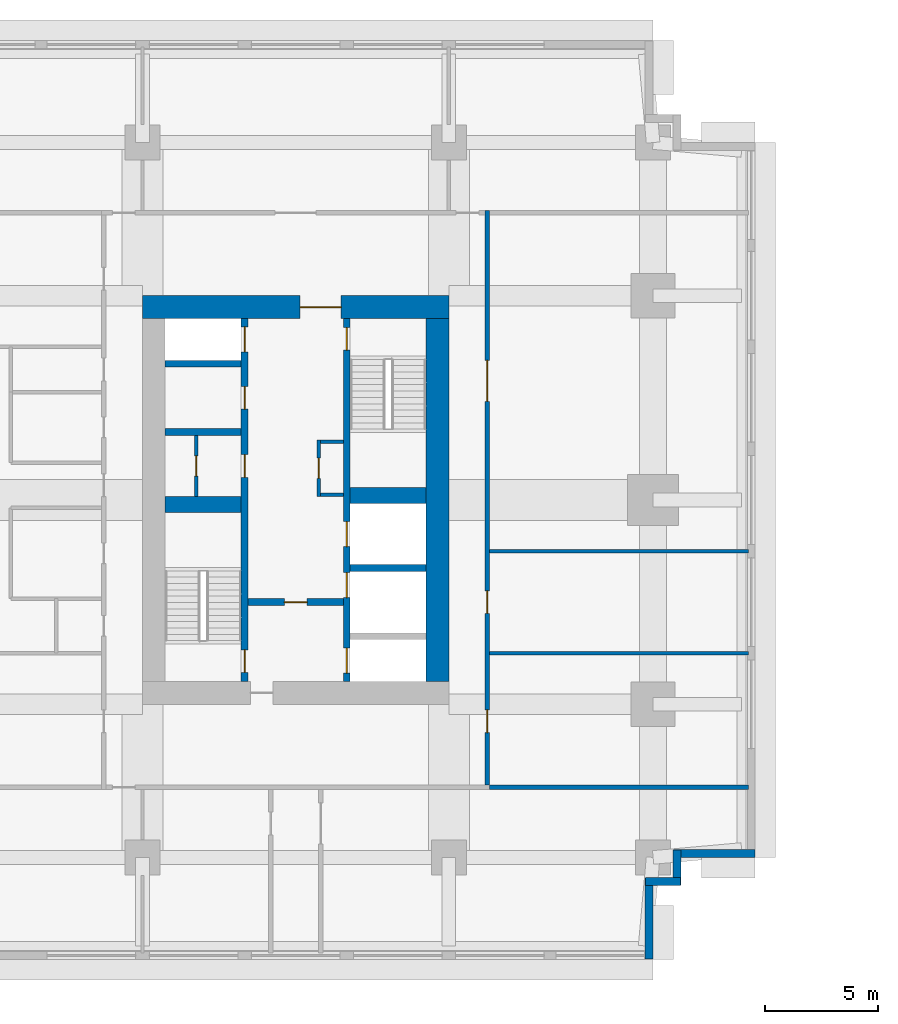
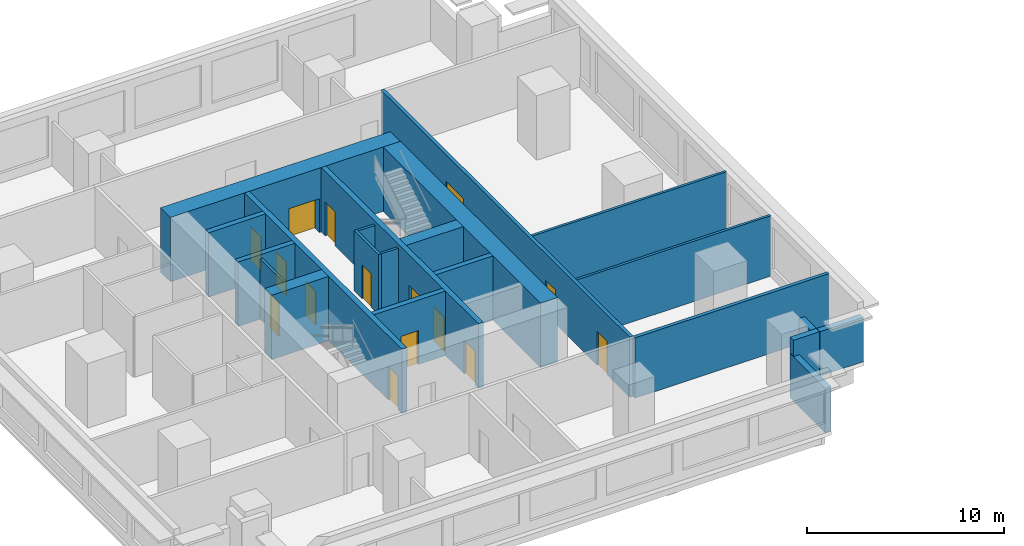
# One storey, part 3 of 5: 22 walls, 15 doors, 15 openings.
"""IFC4 building model written with IfcOpenShell, lengths in metres."""

from ifc_helpers import new_model, si_unit, direction, frame, frame_2d, origin, place, context, subcontext, project, spatial, rectangle, extrude, material, layer, layer_set, type_object, element, fill, save


model = new_model("IFC4")

# Units and contexts
model_context = context("Model", 3, precision=1e-05, world=origin(), true_north=direction((0.0, 1.0)))
body_context = subcontext(model_context, "Body", "Model", "MODEL_VIEW")
ifc_project = project(units=[si_unit("LENGTHUNIT", "METRE"), si_unit("AREAUNIT", "SQUARE_METRE"), si_unit("VOLUMEUNIT", "CUBIC_METRE"), si_unit("PLANEANGLEUNIT", "RADIAN"), si_unit("MASSUNIT", "GRAM", prefix="KILO")], contexts=[model_context])

# Site, building, storey
site_placement = place(None, origin())
site = spatial("IfcSite", under=ifc_project, at=site_placement, CompositionType="ELEMENT")
building_placement = place(site_placement, origin())
building = spatial("IfcBuilding", under=site, at=building_placement, Name="Namib Vertical Campus", CompositionType="ELEMENT")
storey_placement = place(building_placement, frame((0.0, 0.0, 241.0)))
storey = spatial("IfcBuildingStorey", under=building, at=storey_placement, Name="L57", CompositionType="ELEMENT", Elevation=241.0)

# Wall, openings, doors
ifc_material_1 = material(Name="Concrete C60/75", Category="concrete")
ifc_layer_1 = layer(ifc_material_1, 0.300048828125)
ifc_layer_set_1 = layer_set([ifc_layer_1], Name="Concrete C60/75")
wall_type_1 = type_object("IfcWallType", Name="Core inner wall 300", PredefinedType="SHEAR", material=ifc_layer_set_1)
wall_1_placement = place(storey_placement, frame((18.0, 12.25, 0.0), z_axis=(0.0, 0.0, 1.0), x_axis=(0.0, 1.0, 0.0)))
wall_1 = element("IfcWall", 1, at=wall_1_placement, inside=storey, type_object=wall_type_1, Name="Core inner wall A L57 W1", PredefinedType="SHEAR", context=body_context, shape_type="SweptSolid", body=[
    extrude(rectangle(XDim=16.0, YDim=0.300048828125, at=frame_2d((8.0, 0.0))), origin(), (0.0, 0.0, 1.0), 4.0),
])
opening_1_placement = place(wall_1_placement, frame((0.39990234375, 0.0, 0.0)))
opening_1 = element("IfcOpeningElement", 2, at=opening_1_placement, cuts=wall_1, Name="Opening FD1", PredefinedType="OPENING", context=body_context, shape_type="SweptSolid", body=[
    extrude(rectangle(XDim=1.0, YDim=2.10009765625, at=frame_2d((0.5, 1.050048828125))), frame((0.0, 0.159912109375, 0.0), z_axis=(0.0, -1.0, 0.0), x_axis=(1.0, 0.0, 0.0)), (0.0, 0.0, 1.0), 0.320068359375),
])
opening_2_placement = place(wall_1_placement, frame((14.52490234375, 0.0, 0.0)))
opening_2 = element("IfcOpeningElement", 3, at=opening_2_placement, cuts=wall_1, Name="Opening LD1", PredefinedType="OPENING", context=body_context, shape_type="SweptSolid", body=[
    extrude(rectangle(XDim=1.10009765625, YDim=2.10009765625, at=frame_2d((0.550048828125, 1.050048828125))), frame((0.0, 0.159912109375, 0.0), z_axis=(0.0, -1.0, 0.0), x_axis=(1.0, 0.0, 0.0)), (0.0, 0.0, 1.0), 0.320068359375),
])
opening_3_placement = place(wall_1_placement, frame((9.0, 0.0, 0.0)))
opening_3 = element("IfcOpeningElement", 4, at=opening_3_placement, cuts=wall_1, Name="Opening D1", PredefinedType="OPENING", context=body_context, shape_type="SweptSolid", body=[
    extrude(rectangle(XDim=1.0, YDim=2.10009765625, at=frame_2d((0.5, 1.050048828125))), frame((0.0, 0.159912109375, 0.0), z_axis=(0.0, -1.0, 0.0), x_axis=(1.0, 0.0, 0.0)), (0.0, 0.0, 1.0), 0.320068359375),
])
opening_4_placement = place(wall_1_placement, frame((12.0, 0.0, 0.0)))
opening_4 = element("IfcOpeningElement", 5, at=opening_4_placement, cuts=wall_1, Name="Opening D1", PredefinedType="OPENING", context=body_context, shape_type="SweptSolid", body=[
    extrude(rectangle(XDim=1.0, YDim=2.10009765625, at=frame_2d((0.5, 1.050048828125))), frame((0.0, 0.159912109375, 0.0), z_axis=(0.0, -1.0, 0.0), x_axis=(1.0, 0.0, 0.0)), (0.0, 0.0, 1.0), 0.320068359375),
])
ifc_material_2 = material(Name="Timber door leaf", Category="wood")
door_type_1 = type_object("IfcDoorType", Name="Door single 1000x2100", OperationType="SINGLE_SWING_LEFT", PredefinedType="DOOR", material=ifc_material_2)
door_1_placement = place(opening_3_placement, origin())
door_1 = element("IfcDoor", 6, at=door_1_placement, inside=storey, type_object=door_type_1, Name="Door D1 Store A L57 P1", OperationType="SINGLE_SWING_LEFT", OverallHeight=2.10009765625, OverallWidth=1.0, PredefinedType="DOOR", context=body_context, shape_type="SweptSolid", body=[
    extrude(rectangle(XDim=1.0, YDim=2.10009765625, at=frame_2d((0.5, 1.050048828125))), frame((0.0, 0.02490234375, 0.0), z_axis=(0.0, -1.0, 0.0), x_axis=(1.0, 0.0, 0.0)), (0.0, 0.0, 1.0), 0.050048828125),
])
fill(opening_3, door_1)
door_2_placement = place(opening_4_placement, origin())
door_2 = element("IfcDoor", 7, at=door_2_placement, inside=storey, type_object=door_type_1, Name="Door D1 Cleaners' store A L57 P2", OperationType="SINGLE_SWING_LEFT", OverallHeight=2.10009765625, OverallWidth=1.0, PredefinedType="DOOR", context=body_context, shape_type="SweptSolid", body=[
    extrude(rectangle(XDim=1.0, YDim=2.10009765625, at=frame_2d((0.5, 1.050048828125))), frame((0.0, 0.02490234375, 0.0), z_axis=(0.0, -1.0, 0.0), x_axis=(1.0, 0.0, 0.0)), (0.0, 0.0, 1.0), 0.050048828125),
])
fill(opening_4, door_2)
ifc_material_3 = material(Name="Steel fire door", Category="steel")
door_type_2 = type_object("IfcDoorType", Name="Fire door 1000x2100", OperationType="SINGLE_SWING_RIGHT", PredefinedType="DOOR", material=ifc_material_3)
door_3_placement = place(opening_1_placement, origin())
door_3 = element("IfcDoor", 8, at=door_3_placement, inside=storey, type_object=door_type_2, Name="Stair door FD1 A L57 S1", OperationType="SINGLE_SWING_LEFT", OverallHeight=2.10009765625, OverallWidth=1.0, PredefinedType="DOOR", context=body_context, shape_type="SweptSolid", body=[
    extrude(rectangle(XDim=1.0, YDim=2.10009765625, at=frame_2d((0.5, 1.050048828125))), frame((0.0, 0.02490234375, 0.0), z_axis=(0.0, -1.0, 0.0), x_axis=(1.0, 0.0, 0.0)), (0.0, 0.0, 1.0), 0.050048828125),
])
fill(opening_1, door_3)
ifc_material_4 = material(Name="Stainless steel lift door", Category="steel")
door_type_3 = type_object("IfcDoorType", Name="Lift landing door 1100x2100", OperationType="DOUBLE_DOOR_SLIDING", PredefinedType="DOOR", material=ifc_material_4)
door_4_placement = place(opening_2_placement, origin())
door_4 = element("IfcDoor", 9, at=door_4_placement, inside=storey, type_object=door_type_3, Name="Lift landing door LD1 A-P3 L57", OperationType="DOUBLE_DOOR_SLIDING", OverallHeight=2.10009765625, OverallWidth=1.10009765625, PredefinedType="DOOR", context=body_context, shape_type="SweptSolid", body=[
    extrude(rectangle(XDim=1.10009765625, YDim=2.10009765625, at=frame_2d((0.550048828125, 1.050048828125))), frame((0.0, 0.02490234375, 0.0), z_axis=(0.0, -1.0, 0.0), x_axis=(1.0, 0.0, 0.0)), (0.0, 0.0, 1.0), 0.050048828125),
])
fill(opening_2, door_4)

wall_2_placement = place(storey_placement, frame((22.5, 12.25, 0.0), z_axis=(0.0, 0.0, 1.0), x_axis=(0.0, 1.0, 0.0)))
wall_2 = element("IfcWall", 10, at=wall_2_placement, inside=storey, type_object=wall_type_1, Name="Core inner wall A L57 W2", PredefinedType="SHEAR", context=body_context, shape_type="SweptSolid", body=[
    extrude(rectangle(XDim=16.0, YDim=0.300048828125, at=frame_2d((8.0, 0.0))), origin(), (0.0, 0.0, 1.0), 4.0),
])
opening_5_placement = place(wall_2_placement, frame((14.60009765625, 0.0, 0.0)))
opening_5 = element("IfcOpeningElement", 11, at=opening_5_placement, cuts=wall_2, Name="Opening FD1", PredefinedType="OPENING", context=body_context, shape_type="SweptSolid", body=[
    extrude(rectangle(XDim=1.0, YDim=2.10009765625, at=frame_2d((0.5, 1.050048828125))), frame((0.0, 0.159912109375, 0.0), z_axis=(0.0, -1.0, 0.0), x_axis=(1.0, 0.0, 0.0)), (0.0, 0.0, 1.0), 0.320068359375),
])
opening_6_placement = place(wall_2_placement, frame((0.375, 0.0, 0.0)))
opening_6 = element("IfcOpeningElement", 12, at=opening_6_placement, cuts=wall_2, Name="Opening LD1", PredefinedType="OPENING", context=body_context, shape_type="SweptSolid", body=[
    extrude(rectangle(XDim=1.10009765625, YDim=2.10009765625, at=frame_2d((0.550048828125, 1.050048828125))), frame((0.0, 0.159912109375, 0.0), z_axis=(0.0, -1.0, 0.0), x_axis=(1.0, 0.0, 0.0)), (0.0, 0.0, 1.0), 0.320068359375),
])
opening_7_placement = place(wall_2_placement, frame((3.699951171875, 0.0, 0.0)))
opening_7 = element("IfcOpeningElement", 13, at=opening_7_placement, cuts=wall_2, Name="Opening LD1", PredefinedType="OPENING", context=body_context, shape_type="SweptSolid", body=[
    extrude(rectangle(XDim=1.10009765625, YDim=2.10009765625, at=frame_2d((0.550048828125, 1.050048828125))), frame((0.0, 0.159912109375, 0.0), z_axis=(0.0, -1.0, 0.0), x_axis=(1.0, 0.0, 0.0)), (0.0, 0.0, 1.0), 0.320068359375),
])
opening_8_placement = place(wall_2_placement, frame((5.949951171875, 0.0, 0.0)))
opening_8 = element("IfcOpeningElement", 14, at=opening_8_placement, cuts=wall_2, Name="Opening LD1", PredefinedType="OPENING", context=body_context, shape_type="SweptSolid", body=[
    extrude(rectangle(XDim=1.10009765625, YDim=2.10009765625, at=frame_2d((0.550048828125, 1.050048828125))), frame((0.0, 0.159912109375, 0.0), z_axis=(0.0, -1.0, 0.0), x_axis=(1.0, 0.0, 0.0)), (0.0, 0.0, 1.0), 0.320068359375),
])
door_5_placement = place(opening_5_placement, frame((1.0, 0.0, 0.0), z_axis=(0.0, 0.0, 1.0), x_axis=(-1.0, 0.0, 0.0)))
door_5 = element("IfcDoor", 15, at=door_5_placement, inside=storey, type_object=door_type_2, Name="Stair door FD1 A L57 S2", OperationType="SINGLE_SWING_LEFT", OverallHeight=2.10009765625, OverallWidth=1.0, PredefinedType="DOOR", context=body_context, shape_type="SweptSolid", body=[
    extrude(rectangle(XDim=1.0, YDim=2.10009765625, at=frame_2d((0.5, 1.050048828125))), frame((0.0, 0.02490234375, 0.0), z_axis=(0.0, -1.0, 0.0), x_axis=(1.0, 0.0, 0.0)), (0.0, 0.0, 1.0), 0.050048828125),
])
fill(opening_5, door_5)
door_6_placement = place(opening_6_placement, origin())
door_6 = element("IfcDoor", 16, at=door_6_placement, inside=storey, type_object=door_type_3, Name="Lift landing door LD1 A-FL1 L57", OperationType="DOUBLE_DOOR_SLIDING", OverallHeight=2.10009765625, OverallWidth=1.10009765625, PredefinedType="DOOR", context=body_context, shape_type="SweptSolid", body=[
    extrude(rectangle(XDim=1.10009765625, YDim=2.10009765625, at=frame_2d((0.550048828125, 1.050048828125))), frame((0.0, 0.02490234375, 0.0), z_axis=(0.0, -1.0, 0.0), x_axis=(1.0, 0.0, 0.0)), (0.0, 0.0, 1.0), 0.050048828125),
])
fill(opening_6, door_6)
door_7_placement = place(opening_7_placement, origin())
door_7 = element("IfcDoor", 17, at=door_7_placement, inside=storey, type_object=door_type_3, Name="Lift landing door LD1 A-P4 L57", OperationType="DOUBLE_DOOR_SLIDING", OverallHeight=2.10009765625, OverallWidth=1.10009765625, PredefinedType="DOOR", context=body_context, shape_type="SweptSolid", body=[
    extrude(rectangle(XDim=1.10009765625, YDim=2.10009765625, at=frame_2d((0.550048828125, 1.050048828125))), frame((0.0, 0.02490234375, 0.0), z_axis=(0.0, -1.0, 0.0), x_axis=(1.0, 0.0, 0.0)), (0.0, 0.0, 1.0), 0.050048828125),
])
fill(opening_7, door_7)
door_8_placement = place(opening_8_placement, origin())
door_8 = element("IfcDoor", 18, at=door_8_placement, inside=storey, type_object=door_type_3, Name="Lift landing door LD1 A-P5 L57", OperationType="DOUBLE_DOOR_SLIDING", OverallHeight=2.10009765625, OverallWidth=1.10009765625, PredefinedType="DOOR", context=body_context, shape_type="SweptSolid", body=[
    extrude(rectangle(XDim=1.10009765625, YDim=2.10009765625, at=frame_2d((0.550048828125, 1.050048828125))), frame((0.0, 0.02490234375, 0.0), z_axis=(0.0, -1.0, 0.0), x_axis=(1.0, 0.0, 0.0)), (0.0, 0.0, 1.0), 0.050048828125),
])
fill(opening_8, door_8)

# Wall, opening, door
wall_3_placement = place(storey_placement, frame((18.14990234375, 15.75, 0.0), z_axis=(0.0, 0.0, 1.0), x_axis=(1.0, 0.0, 0.0)))
wall_3 = element("IfcWall", 19, at=wall_3_placement, inside=storey, type_object=wall_type_1, Name="Core inner wall A L57 W4", PredefinedType="SHEAR", context=body_context, shape_type="SweptSolid", body=[
    extrude(rectangle(XDim=4.2001953125, YDim=0.300048828125, at=frame_2d((2.10009765625, 0.0))), origin(), (0.0, 0.0, 1.0), 4.0),
])
opening_9_placement = place(wall_3_placement, frame((1.60009765625, 0.0, 0.0)))
opening_9 = element("IfcOpeningElement", 20, at=opening_9_placement, cuts=wall_3, Name="Opening FD5", PredefinedType="OPENING", context=body_context, shape_type="SweptSolid", body=[
    extrude(rectangle(XDim=1.0, YDim=2.10009765625, at=frame_2d((0.5, 1.050048828125))), frame((0.0, 0.159912109375, 0.0), z_axis=(0.0, -1.0, 0.0), x_axis=(1.0, 0.0, 0.0)), (0.0, 0.0, 1.0), 0.320068359375),
])
ifc_material_5 = material(Name="Steel fire door", Category="steel")
door_type_4 = type_object("IfcDoorType", Name="Fire door 1000x2100 120 min", OperationType="SINGLE_SWING_RIGHT", PredefinedType="DOOR", material=ifc_material_5)
door_9_placement = place(opening_9_placement, frame((1.0, 0.0, 0.0), z_axis=(0.0, 0.0, 1.0), x_axis=(-1.0, 0.0, 0.0)))
door_9 = element("IfcDoor", 21, at=door_9_placement, inside=storey, type_object=door_type_4, Name="Lobby door FD5 A L57", OperationType="SINGLE_SWING_RIGHT", OverallHeight=2.10009765625, OverallWidth=1.0, PredefinedType="DOOR", context=body_context, shape_type="SweptSolid", body=[
    extrude(rectangle(XDim=1.0, YDim=2.10009765625, at=frame_2d((0.5, 1.050048828125))), frame((0.0, 0.02490234375, 0.0), z_axis=(0.0, -1.0, 0.0), x_axis=(1.0, 0.0, 0.0)), (0.0, 0.0, 1.0), 0.050048828125),
])
fill(opening_9, door_9)

# Walls
for number, where, z_axis, x_axis, name in (
    (22, (22.64990234375, 17.25, 0.0), (0.0, 0.0, 1.0), (1.0, 0.0, 0.0), "Core inner wall A L57 W6"),
    (23, (14.5, 23.25, 0.0), (0.0, 0.0, 1.0), (1.0, 0.0, 0.0), "Core inner wall A L57 W8"),
    (24, (14.5, 26.25, 0.0), (0.0, 0.0, 1.0), (1.0, 0.0, 0.0), "Core inner wall A L57 W9"),
):
    element("IfcWall", number, at=place(storey_placement, frame(where, z_axis=z_axis, x_axis=x_axis)), inside=storey, type_object=wall_type_1, Name=name, PredefinedType="SHEAR", context=body_context, shape_type="SweptSolid", body=[
        extrude(rectangle(XDim=3.35009765625, YDim=0.300048828125, at=frame_2d((1.675048828125, 0.0))), origin(), (0.0, 0.0, 1.0), 4.0),
    ])
ifc_material_6 = material(Name="Concrete C60/75", Category="concrete")
ifc_layer_2 = layer(ifc_material_6, 0.699951171875)
ifc_layer_set_2 = layer_set([ifc_layer_2], Name="Concrete C60/75")
wall_type_2 = type_object("IfcWallType", Name="Core shear wall 700", PredefinedType="SHEAR", material=ifc_layer_set_2)
for number, where, z_axis, x_axis, name in (
    (25, (14.5, 20.050048828125, 0.0), (0.0, 0.0, 1.0), (1.0, 0.0, 0.0), "Core shear wall A L57 W3"),
    (26, (22.64990234375, 20.449951171875, 0.0), (0.0, 0.0, 1.0), (1.0, 0.0, 0.0), "Core shear wall A L57 W7"),
):
    element("IfcWall", number, at=place(storey_placement, frame(where, z_axis=z_axis, x_axis=x_axis)), inside=storey, type_object=wall_type_2, Name=name, PredefinedType="SHEAR", context=body_context, shape_type="SweptSolid", body=[
        extrude(rectangle(XDim=3.35009765625, YDim=0.699951171875, at=frame_2d((1.675048828125, 0.0))), origin(), (0.0, 0.0, 1.0), 4.0),
    ])
ifc_material_7 = material(Name="Concrete C60/75", Category="concrete")
ifc_layer_3 = layer(ifc_material_7, 1.0)
ifc_layer_set_3 = layer_set([ifc_layer_3], Name="Concrete C60/75")
wall_type_3 = type_object("IfcWallType", Name="Core wall 1000", PredefinedType="SHEAR", material=ifc_layer_set_3)
wall_4_placement = place(storey_placement, frame((26.5, 12.25, 0.0), z_axis=(0.0, 0.0, 1.0), x_axis=(0.0, 1.0, 0.0)))
element("IfcWall", 27, at=wall_4_placement, inside=storey, type_object=wall_type_3, Name="Core wall A L57 2", PredefinedType="SHEAR", context=body_context, shape_type="SweptSolid", body=[
    extrude(rectangle(XDim=16.0, YDim=1.0, at=frame_2d((8.0, 0.0))), origin(), (0.0, 0.0, 1.0), 4.0),
])

# Wall, opening, door
wall_5_placement = place(storey_placement, frame((27.0, 28.75, 0.0), z_axis=(0.0, 0.0, 1.0), x_axis=(-1.0, 0.0, 0.0)))
wall_5 = element("IfcWall", 28, at=wall_5_placement, inside=storey, type_object=wall_type_3, Name="Core wall A L57 3", PredefinedType="SHEAR", context=body_context, shape_type="SweptSolid", body=[
    extrude(rectangle(XDim=13.5, YDim=1.0, at=frame_2d((6.75, 0.0))), origin(), (0.0, 0.0, 1.0), 4.0),
])
opening_10_placement = place(wall_5_placement, frame((4.75, 0.0, 0.0)))
opening_10 = element("IfcOpeningElement", 29, at=opening_10_placement, cuts=wall_5, Name="Opening FD2", PredefinedType="OPENING", context=body_context, shape_type="SweptSolid", body=[
    extrude(rectangle(XDim=1.800048828125, YDim=2.10009765625, at=frame_2d((0.89990234375, 1.050048828125))), frame((0.0, 0.510009765625, 0.0), z_axis=(0.0, -1.0, 0.0), x_axis=(1.0, 0.0, 0.0)), (0.0, 0.0, 1.0), 1.02001953125),
])
ifc_material_8 = material(Name="Steel fire door", Category="steel")
door_type_5 = type_object("IfcDoorType", Name="Fire door double 1800x2100", OperationType="DOUBLE_DOOR_SINGLE_SWING", PredefinedType="DOOR", material=ifc_material_8)
door_10_placement = place(opening_10_placement, origin())
door_10 = element("IfcDoor", 30, at=door_10_placement, inside=storey, type_object=door_type_5, Name="Lift lobby door FD2 A L57", OperationType="DOUBLE_DOOR_SINGLE_SWING", OverallHeight=2.10009765625, OverallWidth=1.800048828125, PredefinedType="DOOR", context=body_context, shape_type="SweptSolid", body=[
    extrude(rectangle(XDim=1.800048828125, YDim=2.10009765625, at=frame_2d((0.89990234375, 1.050048828125))), frame((0.0, 0.02490234375, 0.0), z_axis=(0.0, -1.0, 0.0), x_axis=(1.0, 0.0, 0.0)), (0.0, 0.0, 1.0), 0.050048828125),
])
fill(opening_10, door_10)

# Wall, openings, doors
ifc_material_9 = material(Name="Concrete masonry", Category="masonry")
ifc_layer_4 = layer(ifc_material_9, 0.199951171875)
ifc_layer_set_4 = layer_set([ifc_layer_4], Name="Corridor wall 200")
wall_type_4 = type_object("IfcWallType", Name="Corridor wall 200", PredefinedType="SOLIDWALL", material=ifc_layer_set_4)
wall_6_placement = place(storey_placement, frame((28.699951171875, 7.699951171875, 0.0), z_axis=(0.0, 0.0, 1.0), x_axis=(0.0, 1.0, 0.0)))
wall_6 = element("IfcWall", 31, at=wall_6_placement, inside=storey, type_object=wall_type_4, Name="Corridor wall A L57 CE", PredefinedType="SOLIDWALL", context=body_context, shape_type="SweptSolid", body=[
    extrude(rectangle(XDim=25.300048828125, YDim=0.199951171875, at=frame_2d((12.64990234375, 0.0))), origin(), (0.0, 0.0, 1.0), 3.75),
])
opening_11_placement = place(wall_6_placement, frame((2.300048828125, 0.0, 0.0)))
opening_11 = element("IfcOpeningElement", 32, at=opening_11_placement, cuts=wall_6, Name="Opening CD1", PredefinedType="OPENING", context=body_context, shape_type="SweptSolid", body=[
    extrude(rectangle(XDim=1.0, YDim=2.10009765625, at=frame_2d((0.5, 1.050048828125))), frame((0.0, 0.10986328125, 0.0), z_axis=(0.0, -1.0, 0.0), x_axis=(1.0, 0.0, 0.0)), (0.0, 0.0, 1.0), 0.219970703125),
])
opening_12_placement = place(wall_6_placement, frame((7.550048828125, 0.0, 0.0)))
opening_12 = element("IfcOpeningElement", 33, at=opening_12_placement, cuts=wall_6, Name="Opening CD1", PredefinedType="OPENING", context=body_context, shape_type="SweptSolid", body=[
    extrude(rectangle(XDim=1.0, YDim=2.10009765625, at=frame_2d((0.5, 1.050048828125))), frame((0.0, 0.10986328125, 0.0), z_axis=(0.0, -1.0, 0.0), x_axis=(1.0, 0.0, 0.0)), (0.0, 0.0, 1.0), 0.219970703125),
])
opening_13_placement = place(wall_6_placement, frame((16.89990234375, 0.0, 0.0)))
opening_13 = element("IfcOpeningElement", 34, at=opening_13_placement, cuts=wall_6, Name="Opening CD2", PredefinedType="OPENING", context=body_context, shape_type="SweptSolid", body=[
    extrude(rectangle(XDim=1.800048828125, YDim=2.10009765625, at=frame_2d((0.89990234375, 1.050048828125))), frame((0.0, 0.10986328125, 0.0), z_axis=(0.0, -1.0, 0.0), x_axis=(1.0, 0.0, 0.0)), (0.0, 0.0, 1.0), 0.219970703125),
])
ifc_material_10 = material(Name="Timber fire door leaf", Category="wood")
door_type_6 = type_object("IfcDoorType", Name="Corridor door 1000x2100 20 min", OperationType="SINGLE_SWING_LEFT", PredefinedType="DOOR", material=ifc_material_10)
door_11_placement = place(opening_11_placement, frame((1.0, 0.0, 0.0), z_axis=(0.0, 0.0, 1.0), x_axis=(-1.0, 0.0, 0.0)))
door_11 = element("IfcDoor", 35, at=door_11_placement, inside=storey, type_object=door_type_6, Name="Door CD1 A57-04", OperationType="SINGLE_SWING_RIGHT", OverallHeight=2.10009765625, OverallWidth=1.0, PredefinedType="DOOR", context=body_context, shape_type="SweptSolid", body=[
    extrude(rectangle(XDim=1.0, YDim=2.10009765625, at=frame_2d((0.5, 1.050048828125))), frame((0.0, 0.02490234375, 0.0), z_axis=(0.0, -1.0, 0.0), x_axis=(1.0, 0.0, 0.0)), (0.0, 0.0, 1.0), 0.050048828125),
])
fill(opening_11, door_11)
door_12_placement = place(opening_12_placement, frame((1.0, 0.0, 0.0), z_axis=(0.0, 0.0, 1.0), x_axis=(-1.0, 0.0, 0.0)))
door_12 = element("IfcDoor", 36, at=door_12_placement, inside=storey, type_object=door_type_6, Name="Door CD1 A57-05", OperationType="SINGLE_SWING_RIGHT", OverallHeight=2.10009765625, OverallWidth=1.0, PredefinedType="DOOR", context=body_context, shape_type="SweptSolid", body=[
    extrude(rectangle(XDim=1.0, YDim=2.10009765625, at=frame_2d((0.5, 1.050048828125))), frame((0.0, 0.02490234375, 0.0), z_axis=(0.0, -1.0, 0.0), x_axis=(1.0, 0.0, 0.0)), (0.0, 0.0, 1.0), 0.050048828125),
])
fill(opening_12, door_12)
ifc_material_11 = material(Name="Timber fire door leaf", Category="wood")
door_type_7 = type_object("IfcDoorType", Name="Corridor door double 1800x2100 20 min", OperationType="DOUBLE_DOOR_SINGLE_SWING", PredefinedType="DOOR", material=ifc_material_11)
door_13_placement = place(opening_13_placement, frame((1.800048828125, 0.0, 0.0), z_axis=(0.0, 0.0, 1.0), x_axis=(-1.0, 0.0, 0.0)))
door_13 = element("IfcDoor", 37, at=door_13_placement, inside=storey, type_object=door_type_7, Name="Door CD2 A57-06", OperationType="DOUBLE_DOOR_SINGLE_SWING", OverallHeight=2.10009765625, OverallWidth=1.800048828125, PredefinedType="DOOR", context=body_context, shape_type="SweptSolid", body=[
    extrude(rectangle(XDim=1.800048828125, YDim=2.10009765625, at=frame_2d((0.89990234375, 1.050048828125))), frame((0.0, 0.02490234375, 0.0), z_axis=(0.0, -1.0, 0.0), x_axis=(1.0, 0.0, 0.0)), (0.0, 0.0, 1.0), 0.050048828125),
])
fill(opening_13, door_13)

# Walls
wall_7_placement = place(storey_placement, frame((28.800048828125, 7.60009765625, 0.0), z_axis=(0.0, 0.0, 1.0), x_axis=(1.0, 0.0, 0.0)))
element("IfcWall", 38, at=wall_7_placement, inside=storey, type_object=wall_type_4, Name="Partition A L57 BSE", PredefinedType="SOLIDWALL", context=body_context, shape_type="SweptSolid", body=[
    extrude(rectangle(XDim=11.39990234375, YDim=0.199951171875, at=frame_2d((5.699951171875, 0.0))), origin(), (0.0, 0.0, 1.0), 3.75),
])
ifc_material_12 = material(Name="Concrete C40/50", Category="concrete")
ifc_layer_5 = layer(ifc_material_12, 0.35009765625)
ifc_layer_set_5 = layer_set([ifc_layer_5], Name="Concrete C40/50")
wall_type_5 = type_object("IfcWallType", Name="External wall 350 bush-hammered concrete", PredefinedType="STANDARD", material=ifc_layer_set_5)
wall_8_placement = place(storey_placement, frame((35.824951171875, 0.02001953125, 0.0), z_axis=(0.0, 0.0, 1.0), x_axis=(0.0, 1.0, 0.0)))
element("IfcWall", 39, at=wall_8_placement, inside=storey, type_object=wall_type_5, Name="External wall L57 F02", PredefinedType="STANDARD", context=body_context, shape_type="SweptSolid", body=[
    extrude(rectangle(XDim=3.5849609375, YDim=0.35009765625, at=frame_2d((1.79248046875, 0.0))), origin(), (0.0, 0.0, 1.0), 2.75),
])
for number, where, z_axis, x_axis, name in (
    (40, (35.669921875, 3.449951171875, 0.0), (0.0, 0.0, 1.0), (1.0, 0.0, 0.0), "External wall L57 F03"),
    (41, (37.050048828125, 3.294921875, 0.0), (0.0, 0.0, 1.0), (0.0, 1.0, 0.0), "External wall L57 F04"),
):
    element("IfcWall", number, at=place(storey_placement, frame(where, z_axis=z_axis, x_axis=x_axis)), inside=storey, type_object=wall_type_5, Name=name, PredefinedType="STANDARD", context=body_context, shape_type="SweptSolid", body=[
        extrude(rectangle(XDim=1.53515625, YDim=0.35009765625, at=frame_2d((0.767578125, 0.0))), origin(), (0.0, 0.0, 1.0), 3.75),
    ])
wall_9_placement = place(storey_placement, frame((36.89501953125, 4.675048828125, 0.0), z_axis=(0.0, 0.0, 1.0), x_axis=(1.0, 0.0, 0.0)))
element("IfcWall", 42, at=wall_9_placement, inside=storey, type_object=wall_type_5, Name="External wall L57 F05", PredefinedType="STANDARD", context=body_context, shape_type="SweptSolid", body=[
    extrude(rectangle(XDim=3.5849609375, YDim=0.35009765625, at=frame_2d((1.79248046875, 0.0))), origin(), (0.0, 0.0, 1.0), 2.75),
])

# Wall, opening, door
ifc_material_13 = material(Name="Gypsum board on steel studs", Category="steel")
ifc_layer_6 = layer(ifc_material_13, 0.14990234375)
ifc_layer_set_6 = layer_set([ifc_layer_6], Name="Gypsum board on steel studs")
wall_type_6 = type_object("IfcWallType", Name="Partition 150", PredefinedType="PARTITIONING", material=ifc_layer_set_6)
wall_10_placement = place(storey_placement, frame((21.27490234375, 20.39990234375, 0.0), z_axis=(0.0, 0.0, 1.0), x_axis=(0.0, 1.0, 0.0)))
wall_10 = element("IfcWall", 43, at=wall_10_placement, inside=storey, type_object=wall_type_6, Name="Partition A L57 Cleaners' store front", PredefinedType="PARTITIONING", context=body_context, shape_type="SweptSolid", body=[
    extrude(rectangle(XDim=2.5, YDim=0.14990234375, at=frame_2d((1.25, 0.0))), origin(), (0.0, 0.0, 1.0), 3.75),
])
opening_14_placement = place(wall_10_placement, frame((0.800048828125, 0.0, 0.0)))
opening_14 = element("IfcOpeningElement", 44, at=opening_14_placement, cuts=wall_10, Name="Opening D3", PredefinedType="OPENING", context=body_context, shape_type="SweptSolid", body=[
    extrude(rectangle(XDim=0.89990234375, YDim=2.10009765625, at=frame_2d((0.449951171875, 1.050048828125))), frame((0.0, 0.0849609375, 0.0), z_axis=(0.0, -1.0, 0.0), x_axis=(1.0, 0.0, 0.0)), (0.0, 0.0, 1.0), 0.169921875),
])
ifc_material_14 = material(Name="Timber door leaf", Category="wood")
door_type_8 = type_object("IfcDoorType", Name="Toilet door 900x2100", OperationType="SINGLE_SWING_LEFT", PredefinedType="DOOR", material=ifc_material_14)
door_14_placement = place(opening_14_placement, frame((0.89990234375, 0.0, 0.0), z_axis=(0.0, 0.0, 1.0), x_axis=(-1.0, 0.0, 0.0)))
door_14 = element("IfcDoor", 45, at=door_14_placement, inside=storey, type_object=door_type_8, Name="Door D3 Cleaners' store A L57", OperationType="SINGLE_SWING_RIGHT", OverallHeight=2.10009765625, OverallWidth=0.89990234375, PredefinedType="DOOR", context=body_context, shape_type="SweptSolid", body=[
    extrude(rectangle(XDim=0.89990234375, YDim=2.10009765625, at=frame_2d((0.449951171875, 1.050048828125))), frame((0.0, 0.02490234375, 0.0), z_axis=(0.0, -1.0, 0.0), x_axis=(1.0, 0.0, 0.0)), (0.0, 0.0, 1.0), 0.050048828125),
])
fill(opening_14, door_14)

# Walls
for number, where, z_axis, x_axis, name in (
    (46, (21.35009765625, 20.47509765625, 0.0), (0.0, 0.0, 1.0), (1.0, 0.0, 0.0), "Partition A L57 Cleaners' store end 1"),
    (47, (21.35009765625, 22.824951171875, 0.0), (0.0, 0.0, 1.0), (1.0, 0.0, 0.0), "Partition A L57 Cleaners' store end 2"),
):
    element("IfcWall", number, at=place(storey_placement, frame(where, z_axis=z_axis, x_axis=x_axis)), inside=storey, type_object=wall_type_6, Name=name, PredefinedType="PARTITIONING", context=body_context, shape_type="SweptSolid", body=[
        extrude(rectangle(XDim=1.0, YDim=0.14990234375, at=frame_2d((0.5, 0.0))), origin(), (0.0, 0.0, 1.0), 3.75),
    ])

# Wall, opening, door
wall_11_placement = place(storey_placement, frame((15.875, 20.39990234375, 0.0), z_axis=(0.0, 0.0, 1.0), x_axis=(0.0, 1.0, 0.0)))
wall_11 = element("IfcWall", 48, at=wall_11_placement, inside=storey, type_object=wall_type_6, Name="Partition A L57 Store P1 back", PredefinedType="PARTITIONING", context=body_context, shape_type="SweptSolid", body=[
    extrude(rectangle(XDim=2.7001953125, YDim=0.14990234375, at=frame_2d((1.35009765625, 0.0))), origin(), (0.0, 0.0, 1.0), 3.75),
])
opening_15_placement = place(wall_11_placement, frame((0.89990234375, 0.0, 0.0)))
opening_15 = element("IfcOpeningElement", 49, at=opening_15_placement, cuts=wall_11, Name="Opening D3", PredefinedType="OPENING", context=body_context, shape_type="SweptSolid", body=[
    extrude(rectangle(XDim=0.89990234375, YDim=2.10009765625, at=frame_2d((0.449951171875, 1.050048828125))), frame((0.0, 0.0849609375, 0.0), z_axis=(0.0, -1.0, 0.0), x_axis=(1.0, 0.0, 0.0)), (0.0, 0.0, 1.0), 0.169921875),
])
door_15_placement = place(opening_15_placement, origin())
door_15 = element("IfcDoor", 50, at=door_15_placement, inside=storey, type_object=door_type_8, Name="Door D3 Store A L57 P1", OperationType="SINGLE_SWING_LEFT", OverallHeight=2.10009765625, OverallWidth=0.89990234375, PredefinedType="DOOR", context=body_context, shape_type="SweptSolid", body=[
    extrude(rectangle(XDim=0.89990234375, YDim=2.10009765625, at=frame_2d((0.449951171875, 1.050048828125))), frame((0.0, 0.02490234375, 0.0), z_axis=(0.0, -1.0, 0.0), x_axis=(1.0, 0.0, 0.0)), (0.0, 0.0, 1.0), 0.050048828125),
])
fill(opening_15, door_15)

# Walls
for number, where, z_axis, x_axis, name in (
    (51, (28.800048828125, 13.5, 0.0), (0.0, 0.0, 1.0), (1.0, 0.0, 0.0), "Partition A L57 PE1"),
    (52, (28.800048828125, 18.0, 0.0), (0.0, 0.0, 1.0), (1.0, 0.0, 0.0), "Partition A L57 PE2"),
):
    element("IfcWall", number, at=place(storey_placement, frame(where, z_axis=z_axis, x_axis=x_axis)), inside=storey, type_object=wall_type_6, Name=name, PredefinedType="PARTITIONING", context=body_context, shape_type="SweptSolid", body=[
        extrude(rectangle(XDim=11.39990234375, YDim=0.14990234375, at=frame_2d((5.699951171875, 0.0))), origin(), (0.0, 0.0, 1.0), 3.75),
    ])

save(model, "model.ifc")
